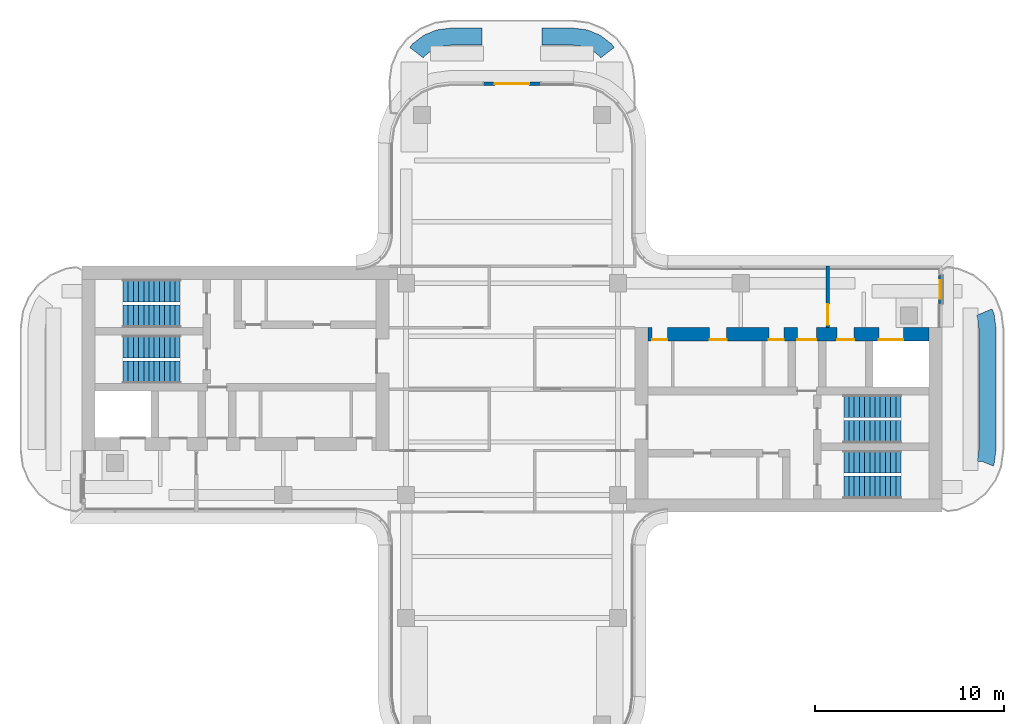
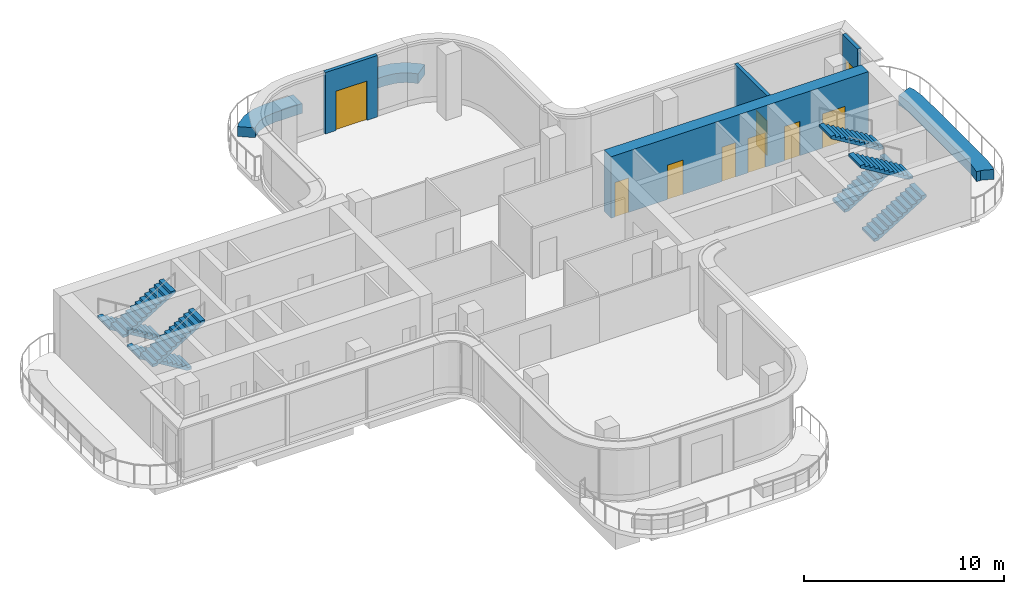
# One storey, part 16 of 18: 9 doors, 8 stair flights, 7 walls, 9 openings, 4 elements without a shape of their own.
"""IFC4 building model written with IfcOpenShell, lengths in metres."""

from ifc_helpers import new_model, si_unit, direction, frame, frame_2d, origin, place, context, subcontext, project, spatial, polyline, rectangle, outline, extrude, source, transform, mapped, material, layer, layer_set, type_object, element, fill, aggregate, save


model = new_model("IFC4")

# Units and contexts
model_context = context("Model", 3, precision=1e-05, world=origin(), true_north=direction((0.0, 1.0)))
body_context = subcontext(model_context, "Body", "Model", "MODEL_VIEW")
ifc_project = project(units=[si_unit("LENGTHUNIT", "METRE"), si_unit("AREAUNIT", "SQUARE_METRE"), si_unit("VOLUMEUNIT", "CUBIC_METRE"), si_unit("PLANEANGLEUNIT", "RADIAN"), si_unit("MASSUNIT", "GRAM", prefix="KILO")], contexts=[model_context])

# Site, building, storey
site_placement = place(None, origin())
site = spatial("IfcSite", under=ifc_project, at=site_placement, CompositionType="ELEMENT")
building_placement = place(site_placement, origin())
building = spatial("IfcBuilding", under=site, at=building_placement, Name="Trellis Farm Tower", CompositionType="ELEMENT")
storey_placement = place(building_placement, frame((0.0, 0.0, 338.10009765625)))
storey = spatial("IfcBuildingStorey", under=building, at=storey_placement, Name="L76", CompositionType="ELEMENT", Elevation=338.10009765625)

# Walls
ifc_material_1 = material(Name="Sandstone faced masonry planter", Category="masonry")
ifc_layer_1 = layer(ifc_material_1, 0.89990234375)
ifc_layer_set_1 = layer_set([ifc_layer_1], Name="TERRACE PLANTER BED 900")
wall_type_1 = type_object("IfcWallType", Name="TERRACE PLANTER BED 900", PredefinedType="USERDEFINED", material=ifc_layer_set_1)
placement = place(storey_placement, origin())
element("IfcWall", 1, at=placement, inside=storey, type_object=wall_type_1, Name="PLANTER bed", ObjectType="PLANTER", PredefinedType="USERDEFINED", context=body_context, shape_type="SweptSolid", body=[
    extrude(outline(polyline([(24.838134765625, -3.83984375), (24.614990234375, -3.810546875), (24.699951171875, -3.164794921875), (24.699951171875, 3.164794921875), (24.622802734375, 3.751708984375), (24.562255859375, 3.897705078125), (25.393798828125, 4.2421875), (25.49951171875, 3.98681640625), (25.60009765625, 3.223876953125), (25.60009765625, -3.223876953125), (25.49951171875, -3.98681640625), (25.46435546875, -4.071533203125), (24.8447265625, -3.81494140625), (24.838134765625, -3.83984375)])), origin(), (0.0, 0.0, 1.0), 0.599853515625),
])
element("IfcWall", 2, at=placement, inside=storey, type_object=wall_type_1, Name="PLANTER bed", ObjectType="PLANTER", PredefinedType="USERDEFINED", context=body_context, shape_type="SweptSolid", body=[
    extrude(outline(polyline([(-4.67333984375, 18.715087890625), (-3.98681640625, 18.99951171875), (-3.223876953125, 19.10009765625), (-1.60009765625, 19.10009765625), (-1.60009765625, 18.199951171875), (-3.164794921875, 18.199951171875), (-3.751708984375, 18.122802734375), (-4.219482421875, 17.928955078125), (-4.620849609375, 17.620849609375), (-4.695556640625, 17.523681640625), (-5.40966796875, 18.071533203125), (-5.2626953125, 18.2626953125), (-4.67333984375, 18.715087890625)])), origin(), (0.0, 0.0, 1.0), 0.599853515625),
])
element("IfcWall", 3, at=placement, inside=storey, type_object=wall_type_1, Name="PLANTER bed", ObjectType="PLANTER", PredefinedType="USERDEFINED", context=body_context, shape_type="SweptSolid", body=[
    extrude(outline(polyline([(3.98681640625, 18.99951171875), (4.67333984375, 18.715087890625), (5.2626953125, 18.2626953125), (5.40966796875, 18.071533203125), (4.695556640625, 17.523681640625), (4.620849609375, 17.620849609375), (4.219482421875, 17.928955078125), (3.751708984375, 18.122802734375), (3.164794921875, 18.199951171875), (1.60009765625, 18.199951171875), (1.60009765625, 19.10009765625), (3.223876953125, 19.10009765625), (3.98681640625, 18.99951171875)])), origin(), (0.0, 0.0, 1.0), 0.599853515625),
])

# Wall, openings, doors
ifc_material_2 = material(Name="Concrete C50/60", Category="concrete")
ifc_layer_2 = layer(ifc_material_2, 0.699951171875)
ifc_layer_set_2 = layer_set([ifc_layer_2], Name="CORE OUTER WALL 700 CONCRETE C50/60")
wall_type_2 = type_object("IfcWallType", Name="CORE OUTER WALL 700 CONCRETE C50/60", PredefinedType="SHEAR", material=ifc_layer_set_2)
shared_shape_1 = source(origin(), body_context, "Body", "SweptSolid", [
    extrude(rectangle(XDim=14.85009765625, YDim=0.699951171875, at=frame_2d((7.425048828125, 0.0))), origin(), (0.0, 0.0, 1.0), 3.75),
])
wall_4_placement = place(storey_placement, frame((7.199951171875, 2.89990234375, 0.0), z_axis=(0.0, 0.0, 1.0), x_axis=(1.0, 0.0, 0.0)))
wall_4 = element("IfcWall", 4, at=wall_4_placement, inside=storey, type_object=wall_type_2, Name="Core wall", PredefinedType="SHEAR", context=body_context, shape_type="MappedRepresentation", body=[
    mapped(shared_shape_1, transform((0.0, 0.0, 0.0))),
])
shared_shape_2 = source(origin(), body_context, "Body", "SweptSolid", [
    extrude(rectangle(XDim=1.300048828125, YDim=2.10009765625, at=frame_2d((0.64990234375, 1.050048828125))), frame((0.0, 0.360107421875, 0.0), z_axis=(0.0, -1.0, 0.0), x_axis=(1.0, 0.0, 0.0)), (0.0, 0.0, 1.0), 0.72021484375),
])
opening_1_placement = place(wall_4_placement, frame((12.199951171875, 0.0, 0.0)))
opening_1 = element("IfcOpeningElement", 5, at=opening_1_placement, cuts=wall_4, Name="Opening LD7", PredefinedType="OPENING", context=body_context, shape_type="MappedRepresentation", body=[
    mapped(shared_shape_2, transform((0.0, 0.0, 0.0))),
])
shared_shape_3 = source(origin(), body_context, "Body", "SweptSolid", [
    extrude(rectangle(XDim=1.0, YDim=2.10009765625, at=frame_2d((0.5, 1.050048828125))), frame((0.0, 0.360107421875, 0.0), z_axis=(0.0, -1.0, 0.0), x_axis=(1.0, 0.0, 0.0)), (0.0, 0.0, 1.0), 0.72021484375),
])
opening_2_placement = place(wall_4_placement, frame((7.89990234375, 0.0, 0.0)))
opening_2 = element("IfcOpeningElement", 6, at=opening_2_placement, cuts=wall_4, Name="Opening DC6", PredefinedType="OPENING", context=body_context, shape_type="MappedRepresentation", body=[
    mapped(shared_shape_3, transform((0.0, 0.0, 0.0))),
])
shared_shape_4 = source(origin(), body_context, "Body", "SweptSolid", [
    extrude(rectangle(XDim=0.800048828125, YDim=2.10009765625, at=frame_2d((0.39990234375, 1.050048828125))), frame((0.0, 0.360107421875, 0.0), z_axis=(0.0, -1.0, 0.0), x_axis=(1.0, 0.0, 0.0)), (0.0, 0.0, 1.0), 0.72021484375),
])
opening_3_placement = place(wall_4_placement, frame((0.21240234375, 0.0, 0.0)))
opening_3 = element("IfcOpeningElement", 7, at=opening_3_placement, cuts=wall_4, Name="Opening DC9", PredefinedType="OPENING", context=body_context, shape_type="MappedRepresentation", body=[
    mapped(shared_shape_4, transform((0.0, 0.0, 0.0))),
])
shared_shape_5 = source(origin(), body_context, "Body", "SweptSolid", [
    extrude(rectangle(XDim=0.89990234375, YDim=2.10009765625, at=frame_2d((0.449951171875, 1.050048828125))), frame((0.0, 0.360107421875, 0.0), z_axis=(0.0, -1.0, 0.0), x_axis=(1.0, 0.0, 0.0)), (0.0, 0.0, 1.0), 0.72021484375),
])
opening_4_placement = place(wall_4_placement, frame((3.25, 0.0, 0.0)))
opening_4 = element("IfcOpeningElement", 8, at=opening_4_placement, cuts=wall_4, Name="Opening DC18", PredefinedType="OPENING", context=body_context, shape_type="MappedRepresentation", body=[
    mapped(shared_shape_5, transform((0.0, 0.0, 0.0))),
])
opening_5_placement = place(wall_4_placement, frame((6.387451171875, 0.0, 0.0)))
opening_5 = element("IfcOpeningElement", 9, at=opening_5_placement, cuts=wall_4, Name="Opening DC21", PredefinedType="OPENING", context=body_context, shape_type="MappedRepresentation", body=[
    mapped(shared_shape_4, transform((0.0, 0.0, 0.0))),
])
opening_6_placement = place(wall_4_placement, frame((10.0, 0.0, 0.0)))
opening_6 = element("IfcOpeningElement", 10, at=opening_6_placement, cuts=wall_4, Name="Opening DC48", PredefinedType="OPENING", context=body_context, shape_type="MappedRepresentation", body=[
    mapped(shared_shape_5, transform((0.0, 0.0, 0.0))),
])
ifc_material_3 = material(Name="Steel", Category="steel")
door_type_1 = type_object("IfcDoorType", Name="CORE FIRE DOOR 1000 X 2100", OperationType="NOTDEFINED", PredefinedType="DOOR", material=ifc_material_3)
shared_shape_6 = source(origin(), body_context, "Body", "SweptSolid", [
    extrude(rectangle(XDim=1.0, YDim=2.10009765625, at=frame_2d((0.5, 1.050048828125))), frame((0.0, -0.27490234375, 0.0), z_axis=(0.0, -1.0, 0.0), x_axis=(1.0, 0.0, 0.0)), (0.0, 0.0, 1.0), 0.050048828125),
])
door_1_placement = place(opening_2_placement, origin())
door_1 = element("IfcDoor", 11, at=door_1_placement, inside=storey, type_object=door_type_1, Name="Core door", OperationType="SINGLE_SWING_LEFT", OverallHeight=2.10009765625, OverallWidth=1.0, PredefinedType="DOOR", context=body_context, shape_type="MappedRepresentation", body=[
    mapped(shared_shape_6, transform((0.0, 0.0, 0.0))),
])
fill(opening_2, door_1)
door_type_2 = type_object("IfcDoorType", Name="CORE FIRE DOOR 900 X 2100", OperationType="NOTDEFINED", PredefinedType="DOOR", material=ifc_material_3)
shared_shape_7 = source(origin(), body_context, "Body", "SweptSolid", [
    extrude(rectangle(XDim=0.89990234375, YDim=2.10009765625, at=frame_2d((0.449951171875, 1.050048828125))), frame((0.0, -0.27490234375, 0.0), z_axis=(0.0, -1.0, 0.0), x_axis=(1.0, 0.0, 0.0)), (0.0, 0.0, 1.0), 0.050048828125),
])
door_2_placement = place(opening_4_placement, origin())
door_2 = element("IfcDoor", 12, at=door_2_placement, inside=storey, type_object=door_type_2, Name="Core door", OperationType="SINGLE_SWING_RIGHT", OverallHeight=2.10009765625, OverallWidth=0.89990234375, PredefinedType="DOOR", context=body_context, shape_type="MappedRepresentation", body=[
    mapped(shared_shape_7, transform((0.0, 0.0, 0.0))),
])
fill(opening_4, door_2)
door_3_placement = place(opening_6_placement, origin())
door_3 = element("IfcDoor", 13, at=door_3_placement, inside=storey, type_object=door_type_2, Name="Core door", OperationType="SINGLE_SWING_RIGHT", OverallHeight=2.10009765625, OverallWidth=0.89990234375, PredefinedType="DOOR", context=body_context, shape_type="MappedRepresentation", body=[
    mapped(shared_shape_7, transform((0.0, 0.0, 0.0))),
])
fill(opening_6, door_3)
ifc_material_4 = material(Name="Stainless steel", Category="steel")
door_type_3 = type_object("IfcDoorType", Name="LIFT LANDING DOOR 1300 X 2100", OperationType="DOUBLE_DOOR_SLIDING", PredefinedType="DOOR", material=ifc_material_4)
shared_shape_8 = source(origin(), body_context, "Body", "SweptSolid", [
    extrude(rectangle(XDim=1.300048828125, YDim=2.10009765625, at=frame_2d((0.64990234375, 1.050048828125))), frame((0.0, -0.27490234375, 0.0), z_axis=(0.0, -1.0, 0.0), x_axis=(1.0, 0.0, 0.0)), (0.0, 0.0, 1.0), 0.050048828125),
])
door_4_placement = place(opening_1_placement, origin())
door_4 = element("IfcDoor", 14, at=door_4_placement, inside=storey, type_object=door_type_3, Name="Lift landing door", OperationType="DOUBLE_DOOR_SLIDING", OverallHeight=2.10009765625, OverallWidth=1.300048828125, PredefinedType="DOOR", context=body_context, shape_type="MappedRepresentation", body=[
    mapped(shared_shape_8, transform((0.0, 0.0, 0.0))),
])
fill(opening_1, door_4)
door_type_4 = type_object("IfcDoorType", Name="CORE FIRE DOOR 800 X 2100", OperationType="NOTDEFINED", PredefinedType="DOOR", material=ifc_material_3)
shared_shape_9 = source(origin(), body_context, "Body", "SweptSolid", [
    extrude(rectangle(XDim=0.800048828125, YDim=2.10009765625, at=frame_2d((0.39990234375, 1.050048828125))), frame((0.0, -0.27490234375, 0.0), z_axis=(0.0, -1.0, 0.0), x_axis=(1.0, 0.0, 0.0)), (0.0, 0.0, 1.0), 0.050048828125),
])
door_5_placement = place(opening_3_placement, origin())
door_5 = element("IfcDoor", 15, at=door_5_placement, inside=storey, type_object=door_type_4, Name="Core door", OperationType="SINGLE_SWING_LEFT", OverallHeight=2.10009765625, OverallWidth=0.800048828125, PredefinedType="DOOR", context=body_context, shape_type="MappedRepresentation", body=[
    mapped(shared_shape_9, transform((0.0, 0.0, 0.0))),
])
fill(opening_3, door_5)
door_6_placement = place(opening_5_placement, origin())
door_6 = element("IfcDoor", 16, at=door_6_placement, inside=storey, type_object=door_type_4, Name="Core door", OperationType="SINGLE_SWING_LEFT", OverallHeight=2.10009765625, OverallWidth=0.800048828125, PredefinedType="DOOR", context=body_context, shape_type="MappedRepresentation", body=[
    mapped(shared_shape_9, transform((0.0, 0.0, 0.0))),
])
fill(opening_5, door_6)

# Wall, opening, door
ifc_material_5 = material(Name="Masonry blockwork", Category="masonry")
ifc_layer_3 = layer(ifc_material_5, 0.199951171875)
ifc_layer_set_3 = layer_set([ifc_layer_3], Name="FIRE LOBBY PARTITION 200 BLOCKWORK")
wall_type_3 = type_object("IfcWallType", Name="FIRE LOBBY PARTITION 200 BLOCKWORK", PredefinedType="PARTITIONING", material=ifc_layer_set_3)
shared_shape_10 = source(origin(), body_context, "Body", "SweptSolid", [
    extrude(rectangle(XDim=3.25, YDim=0.199951171875, at=frame_2d((1.625, 0.0))), origin(), (0.0, 0.0, 1.0), 3.75),
])
wall_5_placement = place(storey_placement, frame((16.699951171875, 3.25, 0.0), z_axis=(0.0, 0.0, 1.0), x_axis=(0.0, 1.0, 0.0)))
wall_5 = element("IfcWall", 17, at=wall_5_placement, inside=storey, type_object=wall_type_3, Name="Fire-fighting lobby partition", PredefinedType="PARTITIONING", context=body_context, shape_type="MappedRepresentation", body=[
    mapped(shared_shape_10, transform((0.0, 0.0, 0.0))),
])
shared_shape_11 = source(origin(), body_context, "Body", "SweptSolid", [
    extrude(rectangle(XDim=1.10009765625, YDim=2.10009765625, at=frame_2d((0.550048828125, 1.050048828125))), frame((0.0, 0.110107421875, 0.0), z_axis=(0.0, -1.0, 0.0), x_axis=(1.0, 0.0, 0.0)), (0.0, 0.0, 1.0), 0.22021484375),
])
opening_7_placement = place(wall_5_placement, frame((0.14990234375, 0.0, 0.0)))
opening_7 = element("IfcOpeningElement", 18, at=opening_7_placement, cuts=wall_5, Name="Opening DC7", PredefinedType="OPENING", context=body_context, shape_type="MappedRepresentation", body=[
    mapped(shared_shape_11, transform((0.0, 0.0, 0.0))),
])
door_type_5 = type_object("IfcDoorType", Name="CORE FIRE DOOR 1100 X 2100", OperationType="NOTDEFINED", PredefinedType="DOOR", material=ifc_material_3)
shared_shape_12 = source(origin(), body_context, "Body", "SweptSolid", [
    extrude(rectangle(XDim=1.10009765625, YDim=2.10009765625, at=frame_2d((0.550048828125, 1.050048828125))), frame((0.0, 0.02490234375, 0.0), z_axis=(0.0, -1.0, 0.0), x_axis=(1.0, 0.0, 0.0)), (0.0, 0.0, 1.0), 0.050048828125),
])
door_7_placement = place(opening_7_placement, origin())
door_7 = element("IfcDoor", 19, at=door_7_placement, inside=storey, type_object=door_type_5, Name="Core door", OperationType="SINGLE_SWING_RIGHT", OverallHeight=2.10009765625, OverallWidth=1.10009765625, PredefinedType="DOOR", context=body_context, shape_type="MappedRepresentation", body=[
    mapped(shared_shape_12, transform((0.0, 0.0, 0.0))),
])
fill(opening_7, door_7)

ifc_material_6 = material(Name="Sandstone faced insulated wall", Category="masonry")
ifc_layer_4 = layer(ifc_material_6, 0.199951171875)
ifc_layer_set_4 = layer_set([ifc_layer_4], Name="EXTERNAL INFILL WALL 200")
wall_type_4 = type_object("IfcWallType", Name="EXTERNAL INFILL WALL 200", PredefinedType="SOLIDWALL", material=ifc_layer_set_4)
shared_shape_13 = source(origin(), body_context, "Body", "SweptSolid", [
    extrude(rectangle(XDim=3.0, YDim=0.199951171875, at=frame_2d((1.5, 0.0))), origin(), (0.0, 0.0, 1.0), 3.75),
])
wall_6_placement = place(storey_placement, frame((1.5, 16.14990234375, 0.0), z_axis=(0.0, 0.0, 1.0), x_axis=(-1.0, 0.0, 0.0)))
wall_6 = element("IfcWall", 20, at=wall_6_placement, inside=storey, type_object=wall_type_4, Name="EW1 03", PredefinedType="SOLIDWALL", context=body_context, shape_type="MappedRepresentation", body=[
    mapped(shared_shape_13, transform((0.0, 0.0, 0.0))),
])
shared_shape_14 = source(origin(), body_context, "Body", "SweptSolid", [
    extrude(rectangle(XDim=1.800048828125, YDim=2.39990234375, at=frame_2d((0.89990234375, 1.199951171875))), frame((0.0, 0.110107421875, 0.0), z_axis=(0.0, -1.0, 0.0), x_axis=(1.0, 0.0, 0.0)), (0.0, 0.0, 1.0), 0.22021484375),
])
opening_8_placement = place(wall_6_placement, frame((0.60009765625, 0.0, 0.0)))
opening_8 = element("IfcOpeningElement", 21, at=opening_8_placement, cuts=wall_6, Name="Opening ED1", PredefinedType="OPENING", context=body_context, shape_type="MappedRepresentation", body=[
    mapped(shared_shape_14, transform((0.0, 0.0, 0.0))),
])
ifc_material_7 = material(Name="Aluminium framed glazed door", Category="aluminium")
door_type_6 = type_object("IfcDoorType", Name="BALCONY DOOR 1800x2400", OperationType="DOUBLE_DOOR_SINGLE_SWING", PredefinedType="DOOR", material=ifc_material_7)
shared_shape_15 = source(origin(), body_context, "Body", "SweptSolid", [
    extrude(rectangle(XDim=1.800048828125, YDim=2.39990234375, at=frame_2d((0.89990234375, 1.199951171875))), frame((0.0, 0.02490234375, 0.0), z_axis=(0.0, -1.0, 0.0), x_axis=(1.0, 0.0, 0.0)), (0.0, 0.0, 1.0), 0.050048828125),
])
door_8_placement = place(opening_8_placement, origin())
door_8 = element("IfcDoor", 22, at=door_8_placement, inside=storey, type_object=door_type_6, Name="Balcony door", OperationType="DOUBLE_DOOR_SINGLE_SWING", OverallHeight=2.39990234375, OverallWidth=1.800048828125, PredefinedType="DOOR", context=body_context, shape_type="MappedRepresentation", body=[
    mapped(shared_shape_15, transform((0.0, 0.0, 0.0))),
])
fill(opening_8, door_8)

shared_shape_16 = source(origin(), body_context, "Body", "SweptSolid", [
    extrude(rectangle(XDim=1.5, YDim=0.199951171875, at=frame_2d((0.75, 0.0))), origin(), (0.0, 0.0, 1.0), 3.75),
])
wall_7_placement = place(storey_placement, frame((22.64990234375, 4.52001953125, 0.0), z_axis=(0.0, 0.0, 1.0), x_axis=(0.0, 1.0, 0.0)))
wall_7 = element("IfcWall", 23, at=wall_7_placement, inside=storey, type_object=wall_type_4, Name="EW1 02", PredefinedType="SOLIDWALL", context=body_context, shape_type="MappedRepresentation", body=[
    mapped(shared_shape_16, transform((0.0, 0.0, 0.0))),
])
shared_shape_17 = source(origin(), body_context, "Body", "SweptSolid", [
    extrude(rectangle(XDim=1.0, YDim=2.39990234375, at=frame_2d((0.5, 1.199951171875))), frame((0.0, 0.110107421875, 0.0), z_axis=(0.0, -1.0, 0.0), x_axis=(1.0, 0.0, 0.0)), (0.0, 0.0, 1.0), 0.22021484375),
])
opening_9_placement = place(wall_7_placement, frame((0.25, 0.0, 0.0)))
opening_9 = element("IfcOpeningElement", 24, at=opening_9_placement, cuts=wall_7, Name="Opening ED2", PredefinedType="OPENING", context=body_context, shape_type="MappedRepresentation", body=[
    mapped(shared_shape_17, transform((0.0, 0.0, 0.0))),
])
door_type_7 = type_object("IfcDoorType", Name="BALCONY DOOR 1000x2400", OperationType="SINGLE_SWING_LEFT", PredefinedType="DOOR", material=ifc_material_7)
shared_shape_18 = source(origin(), body_context, "Body", "SweptSolid", [
    extrude(rectangle(XDim=1.0, YDim=2.39990234375, at=frame_2d((0.5, 1.199951171875))), frame((0.0, 0.02490234375, 0.0), z_axis=(0.0, -1.0, 0.0), x_axis=(1.0, 0.0, 0.0)), (0.0, 0.0, 1.0), 0.050048828125),
])
door_9_placement = place(opening_9_placement, origin())
door_9 = element("IfcDoor", 25, at=door_9_placement, inside=storey, type_object=door_type_7, Name="Balcony door", OperationType="SINGLE_SWING_LEFT", OverallHeight=2.39990234375, OverallWidth=1.0, PredefinedType="DOOR", context=body_context, shape_type="MappedRepresentation", body=[
    mapped(shared_shape_18, transform((0.0, 0.0, 0.0))),
])
fill(opening_9, door_9)

# Stair, stair flights
stair_type = type_object("IfcStairType", Name="CORE EXIT STAIR 24 RISERS 167 MM", PredefinedType="HALF_TURN_STAIR", material=ifc_material_2)
stair_1 = element("IfcStair", 26, at=placement, inside=storey, type_object=stair_type, Name="Exit stair E1", PredefinedType="HALF_TURN_STAIR")
stair_flight_type = type_object("IfcStairFlightType", Name="STAIR FLIGHT 12 RISERS 167 MM", PredefinedType="STRAIGHT", material=ifc_material_2)
shared_shape_19 = source(origin(), body_context, "Body", "SweptSolid", [
    extrude(outline(polyline([(0.0, 0.0), (0.0, 0.166748046875), (0.27490234375, 0.166748046875), (0.27490234375, 0.333251953125), (0.550048828125, 0.333251953125), (0.550048828125, 0.5), (0.824951171875, 0.5), (0.824951171875, 0.666748046875), (1.10009765625, 0.666748046875), (1.10009765625, 0.833251953125), (1.375, 0.833251953125), (1.375, 1.0), (1.64990234375, 1.0), (1.64990234375, 1.166748046875), (1.925048828125, 1.166748046875), (1.925048828125, 1.333251953125), (2.199951171875, 1.333251953125), (2.199951171875, 1.5), (2.47509765625, 1.5), (2.47509765625, 1.666748046875), (2.75, 1.666748046875), (2.75, 1.833251953125), (3.02490234375, 1.833251953125), (3.02490234375, 2.0), (3.02490234375, 1.681396484375), (0.25048828125, 0.0), (0.0, 0.0)])), frame((0.0, 0.60009765625, 0.0), z_axis=(0.0, -1.0, 0.0), x_axis=(1.0, 0.0, 0.0)), (0.0, 0.0, 1.0), 1.199951171875),
])
stair_flight_1_placement = place(storey_placement, frame((17.550048828125, -5.199951171875, 0.0), z_axis=(0.0, 0.0, 1.0), x_axis=(1.0, 0.0, 0.0)))
stair_flight_1 = element("IfcStairFlight", 27, at=stair_flight_1_placement, type_object=stair_flight_type, Name="STE1 flight 1", NumberOfRisers=12, NumberOfTreads=11, PredefinedType="STRAIGHT", RiserHeight=0.166666667, TreadLength=0.275, context=body_context, shape_type="MappedRepresentation", body=[
    mapped(shared_shape_19, transform((0.0, 0.0, 0.0))),
])
stair_flight_2_placement = place(storey_placement, frame((20.574951171875, -3.85009765625, 2.0), z_axis=(0.0, 0.0, 1.0), x_axis=(-1.0, 0.0, 0.0)))
stair_flight_2 = element("IfcStairFlight", 28, at=stair_flight_2_placement, type_object=stair_flight_type, Name="STE1 flight 2", NumberOfRisers=12, NumberOfTreads=11, PredefinedType="STRAIGHT", RiserHeight=0.166666667, TreadLength=0.275, context=body_context, shape_type="MappedRepresentation", body=[
    mapped(shared_shape_19, transform((0.0, 0.0, 0.0))),
])
aggregate(stair_1, [stair_flight_1, stair_flight_2])

stair_2 = element("IfcStair", 29, at=placement, inside=storey, type_object=stair_type, Name="Exit stair E2", PredefinedType="HALF_TURN_STAIR")
stair_flight_3_placement = place(storey_placement, frame((17.550048828125, -2.25, 0.0), z_axis=(0.0, 0.0, 1.0), x_axis=(1.0, 0.0, 0.0)))
stair_flight_3 = element("IfcStairFlight", 30, at=stair_flight_3_placement, type_object=stair_flight_type, Name="STE2 flight 1", NumberOfRisers=12, NumberOfTreads=11, PredefinedType="STRAIGHT", RiserHeight=0.166666667, TreadLength=0.275, context=body_context, shape_type="MappedRepresentation", body=[
    mapped(shared_shape_19, transform((0.0, 0.0, 0.0))),
])
stair_flight_4_placement = place(storey_placement, frame((20.574951171875, -0.89990234375, 2.0), z_axis=(0.0, 0.0, 1.0), x_axis=(-1.0, 0.0, 0.0)))
stair_flight_4 = element("IfcStairFlight", 31, at=stair_flight_4_placement, type_object=stair_flight_type, Name="STE2 flight 2", NumberOfRisers=12, NumberOfTreads=11, PredefinedType="STRAIGHT", RiserHeight=0.166666667, TreadLength=0.275, context=body_context, shape_type="MappedRepresentation", body=[
    mapped(shared_shape_19, transform((0.0, 0.0, 0.0))),
])
aggregate(stair_2, [stair_flight_3, stair_flight_4])

stair_3 = element("IfcStair", 32, at=placement, inside=storey, type_object=stair_type, Name="Exit stair W1", PredefinedType="HALF_TURN_STAIR")
stair_flight_5_placement = place(storey_placement, frame((-17.550048828125, 5.199951171875, 0.0), z_axis=(0.0, 0.0, 1.0), x_axis=(-1.0, 0.0, 0.0)))
stair_flight_5 = element("IfcStairFlight", 33, at=stair_flight_5_placement, type_object=stair_flight_type, Name="STW1 flight 1", NumberOfRisers=12, NumberOfTreads=11, PredefinedType="STRAIGHT", RiserHeight=0.166666667, TreadLength=0.275, context=body_context, shape_type="MappedRepresentation", body=[
    mapped(shared_shape_19, transform((0.0, 0.0, 0.0))),
])
stair_flight_6_placement = place(storey_placement, frame((-20.574951171875, 3.85009765625, 2.0), z_axis=(0.0, 0.0, 1.0), x_axis=(1.0, 0.0, 0.0)))
stair_flight_6 = element("IfcStairFlight", 34, at=stair_flight_6_placement, type_object=stair_flight_type, Name="STW1 flight 2", NumberOfRisers=12, NumberOfTreads=11, PredefinedType="STRAIGHT", RiserHeight=0.166666667, TreadLength=0.275, context=body_context, shape_type="MappedRepresentation", body=[
    mapped(shared_shape_19, transform((0.0, 0.0, 0.0))),
])
aggregate(stair_3, [stair_flight_5, stair_flight_6])

stair_4 = element("IfcStair", 35, at=placement, inside=storey, type_object=stair_type, Name="Exit stair W2", PredefinedType="HALF_TURN_STAIR")
stair_flight_7_placement = place(storey_placement, frame((-17.550048828125, 2.25, 0.0), z_axis=(0.0, 0.0, 1.0), x_axis=(-1.0, 0.0, 0.0)))
stair_flight_7 = element("IfcStairFlight", 36, at=stair_flight_7_placement, type_object=stair_flight_type, Name="STW2 flight 1", NumberOfRisers=12, NumberOfTreads=11, PredefinedType="STRAIGHT", RiserHeight=0.166666667, TreadLength=0.275, context=body_context, shape_type="MappedRepresentation", body=[
    mapped(shared_shape_19, transform((0.0, 0.0, 0.0))),
])
stair_flight_8_placement = place(storey_placement, frame((-20.574951171875, 0.89990234375, 2.0), z_axis=(0.0, 0.0, 1.0), x_axis=(1.0, 0.0, 0.0)))
stair_flight_8 = element("IfcStairFlight", 37, at=stair_flight_8_placement, type_object=stair_flight_type, Name="STW2 flight 2", NumberOfRisers=12, NumberOfTreads=11, PredefinedType="STRAIGHT", RiserHeight=0.166666667, TreadLength=0.275, context=body_context, shape_type="MappedRepresentation", body=[
    mapped(shared_shape_19, transform((0.0, 0.0, 0.0))),
])
aggregate(stair_4, [stair_flight_7, stair_flight_8])

save(model, "model.ifc")
